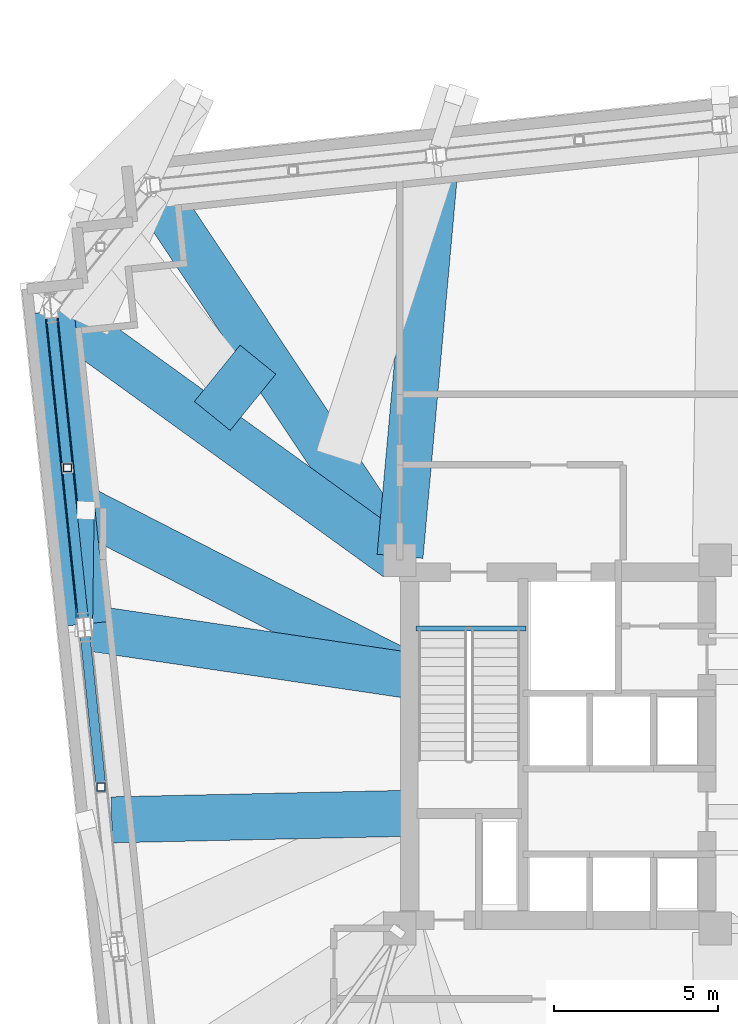
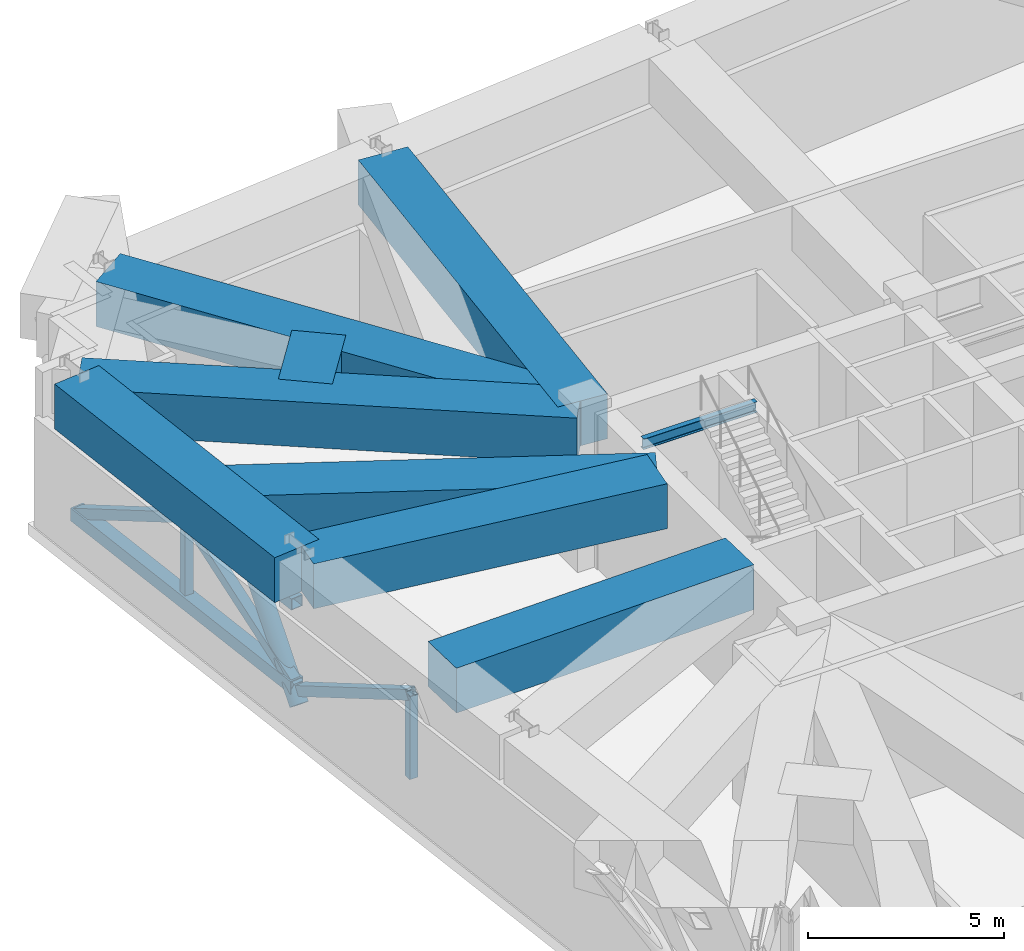
# One storey, part 7 of 23: 9 beams, 8 members.
"""IFC4 building model written with IfcOpenShell, lengths in metres."""

from ifc_helpers import new_model, si_unit, direction, frame, origin, origin_2d, place, context, subcontext, project, spatial, rectangle, hollow_rectangle, hollow_circle, i_section, extrude, material, material_profile, profile_set, type_object, element, save


model = new_model("IFC4")

# Units and contexts
model_context = context("Model", 3, precision=1e-05, world=origin(), true_north=direction((0.0, 1.0)))
body_context = subcontext(model_context, "Body", "Model", "MODEL_VIEW")
ifc_project = project(units=[si_unit("LENGTHUNIT", "METRE"), si_unit("AREAUNIT", "SQUARE_METRE"), si_unit("VOLUMEUNIT", "CUBIC_METRE"), si_unit("PLANEANGLEUNIT", "RADIAN"), si_unit("MASSUNIT", "GRAM", prefix="KILO")], contexts=[model_context])

# Site, building, storey
site_placement = place(None, origin())
site = spatial("IfcSite", under=ifc_project, at=site_placement, CompositionType="ELEMENT")
building_placement = place(site_placement, origin())
building = spatial("IfcBuilding", under=site, at=building_placement, Name="Qobustan Lattice House", CompositionType="ELEMENT")
storey_placement = place(building_placement, frame((0.0, 0.0, 125.89990234375)))
storey = spatial("IfcBuildingStorey", under=building, at=storey_placement, Name="L35", CompositionType="ELEMENT", Elevation=125.89990234375)

# Beams
ifc_material_1 = material(Name="Steel S355", Category="steel")
ifc_material_profile_1 = material_profile(ifc_material_1, i_section(OverallWidth=0.159912109375, OverallDepth=0.330078125, WebThickness=0.007568359375, FlangeThickness=0.011474609375, FilletRadius=0.01806640625, at=origin_2d()), Name="IPE330")
ifc_profile_set_1 = profile_set([ifc_material_profile_1], Name="Steel S355")
beam_type_1 = type_object("IfcBeamType", Name="BM-SPD-IPE330", PredefinedType="SPANDREL", material=ifc_profile_set_1)
beam_1_placement = place(storey_placement, frame((-18.300048828125, 3.52001953125, 4.655029296875), z_axis=(1.0, 0.0, 0.0), x_axis=(0.0, 1.0, 0.0)))
element("IfcBeam", 1, at=beam_1_placement, inside=storey, type_object=beam_type_1, Name="L35 west stair landing trimmer beam", PredefinedType="SPANDREL", context=body_context, shape_type="SweptSolid", body=[
    extrude(i_section(OverallWidth=0.159912109375, OverallDepth=0.330078125, WebThickness=0.007568359375, FlangeThickness=0.011474609375, FilletRadius=0.01806640625, at=origin_2d()), origin(), (0.0, 0.0, 1.0), 3.35009765625),
])
ifc_material_2 = material(Name="Concrete C60/75", Category="concrete")
ifc_material_profile_2 = material_profile(ifc_material_2, rectangle(XDim=1.39990234375, YDim=1.39990234375, at=origin_2d()), Name="RC1400x1400")
ifc_profile_set_2 = profile_set([ifc_material_profile_2], Name="Concrete C60/75")
beam_type_2 = type_object("IfcBeamType", Name="BM-TRG-RC1400", PredefinedType="USERDEFINED", material=ifc_profile_set_2)
beam_2_placement = place(storey_placement, frame((-29.408447265625, 13.1708984375, 4.1201171875), z_axis=(0.104530683287, -0.994521662032, 0.0), x_axis=(0.994521662032, 0.104530683287, 0.0)))
element("IfcBeam", 2, at=beam_2_placement, inside=storey, type_object=beam_type_2, Name="L35 TT2 lower perimeter transfer girder W1-W2", ObjectType="GIRDER", PredefinedType="USERDEFINED", context=body_context, shape_type="SweptSolid", body=[
    extrude(rectangle(XDim=1.39990234375, YDim=1.39990234375, at=origin_2d()), origin(), (0.0, 0.0, 1.0), 9.566650390625),
])
beam_3_placement = place(storey_placement, frame((-18.789306640625, 5.719482421875, 4.1201171875), z_axis=(0.089652072291, 0.995973145187, 0.0), x_axis=(-0.995973145187, 0.089652072291, 0.0)))
element("IfcBeam", 3, at=beam_3_placement, inside=storey, type_object=beam_type_2, Name="L35 TT2 radial transfer girder N6", ObjectType="GIRDER", PredefinedType="USERDEFINED", context=body_context, shape_type="SweptSolid", body=[
    extrude(rectangle(XDim=1.39990234375, YDim=1.39990234375, at=origin_2d()), origin(), (0.0, 0.0, 1.0), 12.1318359375),
])
beam_4_placement = place(storey_placement, frame((-18.866455078125, 5.699951171875, 4.1201171875), z_axis=(-0.554105813978, 0.832446242658, 0.0), x_axis=(-0.832446242658, -0.554105813978, 0.0)))
element("IfcBeam", 4, at=beam_4_placement, inside=storey, type_object=beam_type_2, Name="L35 TT2 radial transfer girder N7", ObjectType="GIRDER", PredefinedType="USERDEFINED", context=body_context, shape_type="SweptSolid", body=[
    extrude(rectangle(XDim=1.39990234375, YDim=1.39990234375, at=origin_2d()), origin(), (0.0, 0.0, 1.0), 13.463134765625),
])
beam_5_placement = place(storey_placement, frame((-18.897216796875, 5.67041015625, 4.1201171875), z_axis=(-0.810638174834, 0.585547393045, 0.0), x_axis=(-0.585547393045, -0.810638174834, 0.0)))
element("IfcBeam", 5, at=beam_5_placement, inside=storey, type_object=beam_type_2, Name="L35 TT2 radial transfer girder W1", ObjectType="GIRDER", PredefinedType="USERDEFINED", context=body_context, shape_type="SweptSolid", body=[
    extrude(rectangle(XDim=1.39990234375, YDim=1.39990234375, at=origin_2d()), origin(), (0.0, 0.0, 1.0), 12.859375),
])
beam_6_placement = place(storey_placement, frame((-18.668701171875, 2.11767578125, 4.1201171875), z_axis=(-0.989228408993, 0.146380172295, 0.0), x_axis=(-0.146380172295, -0.989228408993, 0.0)))
element("IfcBeam", 6, at=beam_6_placement, inside=storey, type_object=beam_type_2, Name="L35 TT2 radial transfer girder W2", ObjectType="GIRDER", PredefinedType="USERDEFINED", context=body_context, shape_type="SweptSolid", body=[
    extrude(rectangle(XDim=1.39990234375, YDim=1.39990234375, at=origin_2d()), origin(), (0.0, 0.0, 1.0), 9.71533203125),
])
beam_7_placement = place(storey_placement, frame((-23.114501953125, 11.702880859375, 4.1201171875), z_axis=(-0.629370249022, -0.777105584619, 0.0), x_axis=(0.777105584619, -0.629370249022, 0.0)))
element("IfcBeam", 7, at=beam_7_placement, inside=storey, type_object=beam_type_2, Name="L35 TT2 quadrant transfer tie girder 2", ObjectType="GIRDER", PredefinedType="USERDEFINED", context=body_context, shape_type="SweptSolid", body=[
    extrude(rectangle(XDim=1.39990234375, YDim=1.39990234375, at=origin_2d()), origin(), (0.0, 0.0, 1.0), 2.20458984375),
])
beam_8_placement = place(storey_placement, frame((-18.65673828125, 2.15478515625, 4.1201171875), z_axis=(-0.890151484229, 0.455664717884, 0.0), x_axis=(-0.455664717884, -0.890151484229, 0.0)))
element("IfcBeam", 8, at=beam_8_placement, inside=storey, type_object=beam_type_2, Name="L35 TT2 primary column transfer girder W2", ObjectType="GIRDER", PredefinedType="USERDEFINED", context=body_context, shape_type="SweptSolid", body=[
    extrude(rectangle(XDim=1.39990234375, YDim=1.39990234375, at=origin_2d()), origin(), (0.0, 0.0, 1.0), 11.170654296875),
])
beam_9_placement = place(storey_placement, frame((-18.669921875, -2.102783203125, 4.1201171875), z_axis=(-0.999755839668, -0.02209662981, 0.0), x_axis=(0.02209662981, -0.999755839668, 0.0)))
element("IfcBeam", 9, at=beam_9_placement, inside=storey, type_object=beam_type_2, Name="L35 TT2 primary column transfer girder W3", ObjectType="GIRDER", PredefinedType="USERDEFINED", context=body_context, shape_type="SweptSolid", body=[
    extrude(rectangle(XDim=1.39990234375, YDim=1.39990234375, at=origin_2d()), origin(), (0.0, 0.0, 1.0), 8.894287109375),
])

# Members
ifc_material_3 = material(Name="Steel S355", Category="steel")
ifc_material_profile_3 = material_profile(ifc_material_3, hollow_rectangle(XDim=0.300048828125, YDim=0.300048828125, WallThickness=0.01611328125, at=origin_2d()), Name="SHS300x300x16")
ifc_profile_set_3 = profile_set([ifc_material_profile_3], Name="Steel S355")
member_type_1 = type_object("IfcMemberType", Name="MEM-BRC-SHS300", PredefinedType="BRACE", material=ifc_profile_set_3)
for number, where, z_axis, x_axis, name in (
    (10, (-29.408447265625, 13.1708984375, 0.550048828125), (0.091919893425, -0.874540587592, 0.476161205736), (0.994521662032, 0.104530683287, 0.0), "L35 TT2 belt truss web diagonal W1-W2 A"),
    (11, (-28.908447265625, 8.413818359375, 3.14013671875), (0.091919893425, -0.874540587592, -0.476161205736), (0.994521662032, 0.104530683287, 0.0), "L35 TT2 belt truss web diagonal W1-W2 B"),
    (12, (-28.387451171875, 3.457763671875, 0.550048828125), (0.091919893425, -0.874540587592, 0.476161205736), (0.994521662032, 0.104530683287, 0.0), "L35 TT2 belt truss web diagonal W2-W3 A"),
):
    element("IfcMember", number, at=place(storey_placement, frame(where, z_axis=z_axis, x_axis=x_axis)), inside=storey, type_object=member_type_1, Name=name, PredefinedType="BRACE", context=body_context, shape_type="SweptSolid", body=[
        extrude(hollow_rectangle(XDim=0.300048828125, YDim=0.300048828125, WallThickness=0.01611328125, at=origin_2d()), origin(), (0.0, 0.0, 1.0), 5.439453125),
    ])
ifc_material_4 = material(Name="Steel S355", Category="steel")
ifc_material_profile_4 = material_profile(ifc_material_4, hollow_rectangle(XDim=0.35009765625, YDim=0.35009765625, WallThickness=0.01611328125, at=origin_2d()), Name="SHS350x350x16")
ifc_profile_set_4 = profile_set([ifc_material_profile_4], Name="Steel S355")
member_type_2 = type_object("IfcMemberType", Name="MEM-CHD-SHS350", PredefinedType="CHORD", material=ifc_profile_set_4)
member_1_placement = place(storey_placement, frame((-29.408447265625, 13.1708984375, 3.14013671875), z_axis=(0.104530683287, -0.994521662032, 0.0), x_axis=(0.994521662032, 0.104530683287, 0.0)))
element("IfcMember", 13, at=member_1_placement, inside=storey, type_object=member_type_2, Name="L35 TT2 belt truss top chord W1-W2", PredefinedType="CHORD", context=body_context, shape_type="SweptSolid", body=[
    extrude(hollow_rectangle(XDim=0.35009765625, YDim=0.35009765625, WallThickness=0.01611328125, at=origin_2d()), origin(), (0.0, 0.0, 1.0), 9.566650390625),
])
ifc_material_5 = material(Name="Steel S355", Category="steel")
ifc_material_profile_5 = material_profile(ifc_material_5, hollow_rectangle(XDim=0.39990234375, YDim=0.39990234375, WallThickness=0.02001953125, at=origin_2d()), Name="SHS400x400x20")
ifc_profile_set_5 = profile_set([ifc_material_profile_5], Name="Steel S355")
member_type_3 = type_object("IfcMemberType", Name="MEM-CHD-SHS400", PredefinedType="CHORD", material=ifc_profile_set_5)
member_2_placement = place(storey_placement, frame((-29.408447265625, 13.1708984375, 0.550048828125), z_axis=(0.104530683287, -0.994521662032, 0.0), x_axis=(0.994521662032, 0.104530683287, 0.0)))
element("IfcMember", 14, at=member_2_placement, inside=storey, type_object=member_type_3, Name="L35 TT2 belt truss bottom chord W1-W2", PredefinedType="CHORD", context=body_context, shape_type="SweptSolid", body=[
    extrude(hollow_rectangle(XDim=0.39990234375, YDim=0.39990234375, WallThickness=0.02001953125, at=origin_2d()), origin(), (0.0, 0.0, 1.0), 9.566650390625),
])
ifc_material_6 = material(Name="Steel S355", Category="steel")
ifc_material_profile_6 = material_profile(ifc_material_6, hollow_rectangle(XDim=0.25, YDim=0.25, WallThickness=0.012451171875, at=origin_2d()), Name="SHS250x250x12.5")
ifc_profile_set_6 = profile_set([ifc_material_profile_6], Name="Steel S355")
member_type_4 = type_object("IfcMemberType", Name="MEM-PST-SHS250", PredefinedType="POST", material=ifc_profile_set_6)
for number, where, z_axis, x_axis, name in (
    (15, (-28.908447265625, 8.413818359375, 0.550048828125), (0.0, 0.0, 1.0), (1.0, 0.0, 0.0), "L35 TT2 belt truss vertical post W1-W2"),
    (16, (-27.887451171875, -1.29931640625, 0.550048828125), (0.0, 0.0, 1.0), (1.0, 0.0, 0.0), "L35 TT2 belt truss vertical post W2-W3"),
):
    element("IfcMember", number, at=place(storey_placement, frame(where, z_axis=z_axis, x_axis=x_axis)), inside=storey, type_object=member_type_4, Name=name, PredefinedType="POST", context=body_context, shape_type="SweptSolid", body=[
        extrude(hollow_rectangle(XDim=0.25, YDim=0.25, WallThickness=0.012451171875, at=origin_2d()), origin(), (0.0, 0.0, 1.0), 2.590087890625),
    ])
ifc_material_7 = material(Name="Steel S355", Category="steel")
ifc_material_profile_7 = material_profile(ifc_material_7, hollow_circle(Radius=0.25390625, WallThickness=0.02001953125, at=origin_2d()), Name="CHS508x20")
ifc_profile_set_7 = profile_set([ifc_material_profile_7], Name="Steel S355")
member_type_5 = type_object("IfcMemberType", Name="MEM-STR-CHS508", PredefinedType="STRUT", material=ifc_profile_set_7)
member_3_placement = place(storey_placement, frame((-28.39794921875, 3.557373046875, 0.01513671875), z_axis=(0.008806909836, 0.655081318872, 0.75550705093), x_axis=(-0.99990964175, 0.013442780011, 0.0)))
element("IfcMember", 17, at=member_3_placement, inside=storey, type_object=member_type_5, Name="L35 TT2 column transfer strut W2", PredefinedType="STRUT", context=body_context, shape_type="SweptSolid", body=[
    extrude(hollow_circle(Radius=0.25390625, WallThickness=0.02001953125, at=origin_2d()), origin(), (0.0, 0.0, 1.0), 5.433349609375),
])

save(model, "model.ifc")
